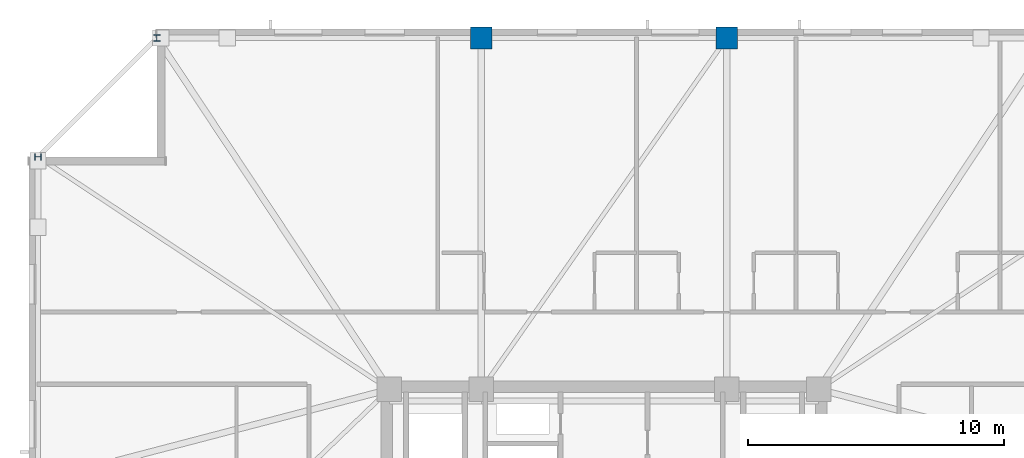
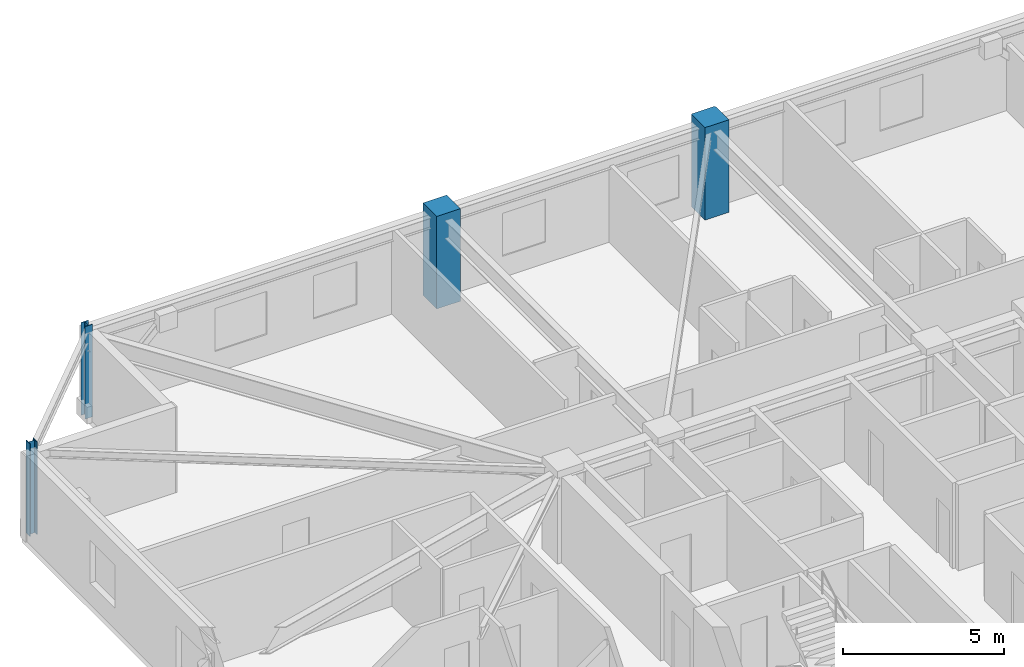
# One storey, part 4 of 17: 4 columns.
"""IFC4 building model written with IfcOpenShell, lengths in metres."""

from ifc_helpers import new_model, si_unit, direction, frame, origin, origin_2d, place, context, subcontext, project, spatial, rectangle, i_section, extrude, material, material_profile, profile_set, type_object, element, save


model = new_model("IFC4")

# Units and contexts
model_context = context("Model", 3, precision=1e-05, world=origin(), true_north=direction((0.0, 1.0)))
body_context = subcontext(model_context, "Body", "Model", "MODEL_VIEW")
ifc_project = project(units=[si_unit("LENGTHUNIT", "METRE"), si_unit("AREAUNIT", "SQUARE_METRE"), si_unit("VOLUMEUNIT", "CUBIC_METRE"), si_unit("PLANEANGLEUNIT", "RADIAN"), si_unit("MASSUNIT", "GRAM", prefix="KILO")], contexts=[model_context])

# Site, building, storey
site_placement = place(None, origin())
site = spatial("IfcSite", under=ifc_project, at=site_placement, CompositionType="ELEMENT")
building_placement = place(site_placement, origin())
building = spatial("IfcBuilding", under=site, at=building_placement, Name="Cairnveth Concourse Tower", CompositionType="ELEMENT")
storey_placement = place(building_placement, frame((0.0, 0.0, 272.5)))
storey = spatial("IfcBuildingStorey", under=building, at=storey_placement, Name="L75", CompositionType="ELEMENT", Elevation=272.5)

# Columns
ifc_material_1 = material(Name="Concrete N65 (65 MPa)", Category="concrete")
ifc_material_profile_1 = material_profile(ifc_material_1, rectangle(XDim=0.85009765625, YDim=0.85009765625, at=origin_2d()), Name="RC-COL-850x850")
ifc_profile_set_1 = profile_set([ifc_material_profile_1], Name="Concrete N65 (65 MPa)")
column_type_1 = type_object("IfcColumnType", Name="PERIMETER PIER COLUMN 850X850", PredefinedType="COLUMN", material=ifc_profile_set_1)
for number, where, z_axis, x_axis, name in (
    (1, (56.800048828125, 61.14990234375, 0.0), (0.0, 0.0, 1.0), (1.0, 0.0, 0.0), "Column P-N2 L75"),
    (2, (47.199951171875, 61.14990234375, 0.0), (0.0, 0.0, 1.0), (1.0, 0.0, 0.0), "Column P-N3 L75"),
):
    element("IfcColumn", number, at=place(storey_placement, frame(where, z_axis=z_axis, x_axis=x_axis)), inside=storey, type_object=column_type_1, Name=name, PredefinedType="COLUMN", context=body_context, shape_type="SweptSolid", body=[
        extrude(rectangle(XDim=0.85009765625, YDim=0.85009765625, at=origin_2d()), origin(), (0.0, 0.0, 1.0), 3.5),
    ])
ifc_material_2 = material(Name="Steel Grade 350", Category="steel")
ifc_material_profile_2 = material_profile(ifc_material_2, i_section(OverallWidth=0.256103515625, OverallDepth=0.260009765625, WebThickness=0.010498046875, FlangeThickness=0.017333984375, FilletRadius=0.012939453125, at=origin_2d()), Name="250UC89.5")
ifc_profile_set_2 = profile_set([ifc_material_profile_2], Name="Steel Grade 350")
column_type_2 = type_object("IfcColumnType", Name="UNIVERSAL STEEL COLUMN 250UC89.5", PredefinedType="COLUMN", material=ifc_profile_set_2)
for number, where, z_axis, x_axis, name in (
    (3, (34.5, 61.14990234375, 0.0), (0.0, 0.0, 1.0), (1.0, 0.0, 0.0), "Column P-N4 L75"),
    (4, (29.85009765625, 56.5, 0.0), (0.0, 0.0, 1.0), (0.0, 1.0, 0.0), "Column P-W1 L75"),
):
    element("IfcColumn", number, at=place(storey_placement, frame(where, z_axis=z_axis, x_axis=x_axis)), inside=storey, type_object=column_type_2, Name=name, PredefinedType="COLUMN", context=body_context, shape_type="SweptSolid", body=[
        extrude(i_section(OverallWidth=0.256103515625, OverallDepth=0.260009765625, WebThickness=0.010498046875, FlangeThickness=0.017333984375, FilletRadius=0.012939453125, at=origin_2d()), origin(), (0.0, 0.0, 1.0), 3.5),
    ])

save(model, "model.ifc")
